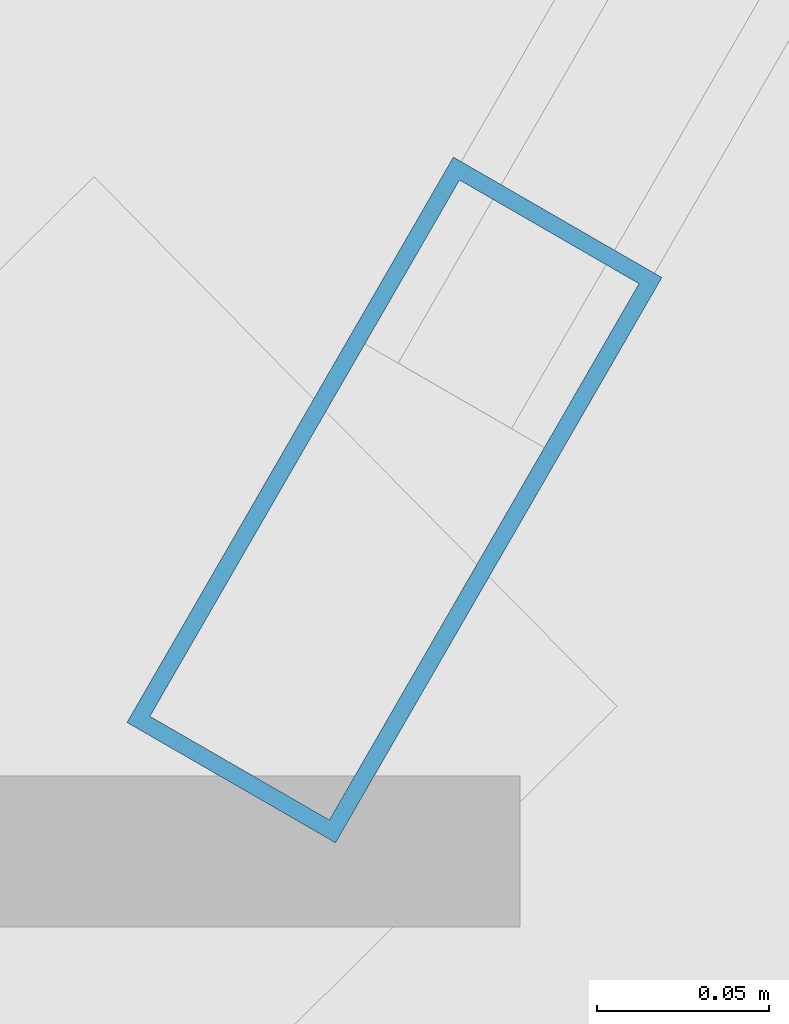
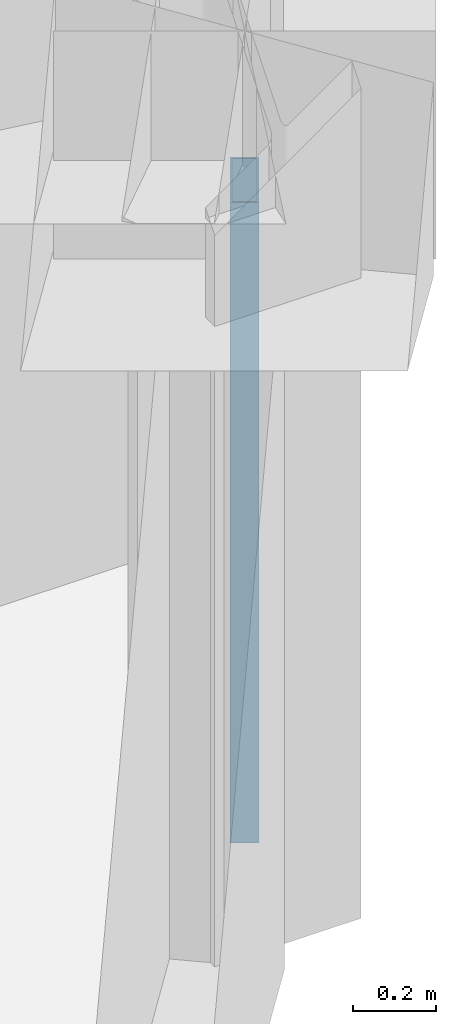
# One storey, part 6 of 19: 1 member, 1 element without a shape of its own.
"""IFC4 building model written with IfcOpenShell, lengths in metres."""

import ifcopenshell
import ifcopenshell.guid

model = None  # the IFC model being written
_history = None  # IfcOwnerHistory: only IFC2X3 demands one
_inside = {}  # id of a spatial element -> (the spatial element, [elements in it])
_under = {}  # id of a project, library or spatial element -> (it, [spatial elements below it])
_declared = {}  # id of a project -> (the project, [libraries it declares])
_typed = {}  # id of a type object -> (the type object, [elements of that type])
_made_of = {}  # id of a material, layer set ... -> (it, [elements and type objects made of it])


def new_model(schema):
    """Start an empty IFC model of exactly this schema.

    Asked for "IFC4X3", IfcOpenShell would pick the latest addendum, in which some entities
    have other attributes; the version numbers below select the first issue.
    IFC2X3 requires an IfcOwnerHistory on every rooted entity: one is made here for all.
    """
    global model, _history
    if schema == "IFC4X3":
        model = ifcopenshell.file(schema_version=(4, 3, 0, 0))
    else:
        model = ifcopenshell.file(schema=schema)
    _inside.clear()
    _under.clear()
    _declared.clear()
    _typed.clear()
    _made_of.clear()
    _history = None
    if model.schema == "IFC2X3":
        org = make("IfcOrganization", Name="unknown")
        user = make(
            "IfcPersonAndOrganization",
            ThePerson=make("IfcPerson", FamilyName="unknown"),
            TheOrganization=org,
        )
        app = make(
            "IfcApplication",
            ApplicationDeveloper=org,
            Version="unknown",
            ApplicationFullName="unknown",
            ApplicationIdentifier="unknown",
        )
        _history = make(
            "IfcOwnerHistory",
            OwningUser=user,
            OwningApplication=app,
            ChangeAction="ADDED",
            CreationDate=0,
        )
    return model


def make(cls, **values):
    """One entity of the class cls with the attributes given. An attribute that is None is left unset."""
    return model.create_entity(
        cls, **{name: value for name, value in values.items() if value is not None}
    )


def rooted(cls, **values):
    """An entity with a GlobalId (a new one), such as an element, a storey or a relation."""
    return make(cls, GlobalId=ifcopenshell.guid.new(), OwnerHistory=_history, **values)


def si_unit(unit_type, name, prefix=None):
    """IfcSIUnit, for example si_unit("LENGTHUNIT", "METRE", prefix="MILLI")."""
    return make("IfcSIUnit", UnitType=unit_type, Prefix=prefix, Name=name)


def derived_unit(unit_type, elements):
    """IfcDerivedUnit: a product of units, each with its exponent."""
    return make(
        "IfcDerivedUnit",
        Elements=[
            make("IfcDerivedUnitElement", Unit=unit, Exponent=power)
            for unit, power in elements
        ],
        UnitType=unit_type,
    )


def assignment(units):
    """IfcUnitAssignment: the units of a project."""
    return None if units is None else make("IfcUnitAssignment", Units=units)


def point(xyz):
    """IfcCartesianPoint."""
    return None if xyz is None else make("IfcCartesianPoint", Coordinates=xyz)


def direction(xyz):
    """IfcDirection."""
    return None if xyz is None else make("IfcDirection", DirectionRatios=xyz)


def frame(location, z_axis=None, x_axis=None):
    """IfcAxis2Placement3D, a coordinate frame: its origin and axes. An axis left out is left unset."""
    return make(
        "IfcAxis2Placement3D",
        Location=point(location),
        Axis=direction(z_axis),
        RefDirection=direction(x_axis),
    )


def frame_2d(location, x_axis=None):
    """IfcAxis2Placement2D, a coordinate frame in the plane: its origin and x axis."""
    return make(
        "IfcAxis2Placement2D", Location=point(location), RefDirection=direction(x_axis)
    )


def origin():
    """The frame at (0, 0, 0) with its axes left unset."""
    return frame((0.0, 0.0, 0.0))


def origin_2d():
    """The frame at (0, 0) in the plane with its x axis left unset."""
    return frame_2d((0.0, 0.0))


def place(relative_to, where):
    """IfcLocalPlacement: puts the frame where relative to a parent placement (None: the world)."""
    return make(
        "IfcLocalPlacement", PlacementRelTo=relative_to, RelativePlacement=where
    )


def context(
    kind, dimensions, precision=None, world=None, true_north=None, identifier=None
):
    """IfcGeometricRepresentationContext, for example the 3D "Model" context."""
    return make(
        "IfcGeometricRepresentationContext",
        ContextIdentifier=identifier,
        ContextType=kind,
        CoordinateSpaceDimension=dimensions,
        Precision=precision,
        WorldCoordinateSystem=world,
        TrueNorth=true_north,
    )


def subcontext(parent, identifier, kind, view, scale=None):
    """IfcGeometricRepresentationSubContext, for example "Body" below "Model"."""
    return make(
        "IfcGeometricRepresentationSubContext",
        ContextIdentifier=identifier,
        ContextType=kind,
        ParentContext=parent,
        TargetScale=scale,
        TargetView=view,
    )


def project(units=None, contexts=None):
    """IfcProject with its units and contexts."""
    return rooted(
        "IfcProject",
        Name="project",
        RepresentationContexts=contexts,
        UnitsInContext=assignment(units),
    )


def spatial(cls, under=None, at=None, **own):
    """A site, building, storey or space (cls), placed at a placement, below another one or the project."""
    s = rooted(cls, ObjectPlacement=at, **own)
    if under is not None:
        _under.setdefault(under.id(), (under, []))[1].append(s)
    return s


def profile(cls, at=None, kind="AREA", **sizes):
    """A parametric profile (cls). Its sizes go by their IFC names, for example OverallWidth=200.0."""
    return make(cls, ProfileType=kind, Position=at, **sizes)


def hollow_rectangle(**sizes):
    """IfcRectangleHollowProfileDef."""
    return profile("IfcRectangleHollowProfileDef", **sizes)


def extrude(swept, where, along, depth):
    """IfcExtrudedAreaSolid: the profile swept, set in the frame where, extruded along a direction by depth."""
    return make(
        "IfcExtrudedAreaSolid",
        SweptArea=swept,
        Position=where,
        ExtrudedDirection=direction(along),
        Depth=depth,
    )


def shape(context_of_items, identifier, shape_type, items):
    """IfcShapeRepresentation: the items that make up one representation, for example the "Body"."""
    return make(
        "IfcShapeRepresentation",
        ContextOfItems=context_of_items,
        RepresentationIdentifier=identifier,
        RepresentationType=shape_type,
        Items=items,
    )


def source(mapping_origin, context_of_items, identifier, shape_type, items):
    """IfcRepresentationMap: a shape defined once, which mapped items show again and again."""
    return make(
        "IfcRepresentationMap",
        MappingOrigin=mapping_origin,
        MappedRepresentation=shape(context_of_items, identifier, shape_type, items),
    )


def transform(
    local_origin,
    x_axis=None,
    y_axis=None,
    z_axis=None,
    scale=None,
    scale2=None,
    scale3=None,
    uniform=True,
):
    """IfcCartesianTransformationOperator3D, or its non-uniform kind. x_axis, y_axis, z_axis: its Axis1, 2, 3."""
    if uniform:
        return make(
            "IfcCartesianTransformationOperator3D",
            Axis1=direction(x_axis),
            Axis2=direction(y_axis),
            LocalOrigin=point(local_origin),
            Scale=scale,
            Axis3=direction(z_axis),
        )
    return make(
        "IfcCartesianTransformationOperator3DnonUniform",
        Axis1=direction(x_axis),
        Axis2=direction(y_axis),
        LocalOrigin=point(local_origin),
        Scale=scale,
        Axis3=direction(z_axis),
        Scale2=scale2,
        Scale3=scale3,
    )


def mapped(mapping_source, mapping_target):
    """IfcMappedItem: shows the shape of a source again, moved by a transform."""
    return make(
        "IfcMappedItem", MappingSource=mapping_source, MappingTarget=mapping_target
    )


def material(Name=None, Category=None):
    """IfcMaterial."""
    return make("IfcMaterial", Name=Name, Category=Category)


def layer(
    of_material, thickness, ventilated=None, Name=None, Category=None, Priority=None
):
    """IfcMaterialLayer: one layer of a wall or slab, of a material (None: an air gap)."""
    return make(
        "IfcMaterialLayer",
        Material=of_material,
        LayerThickness=thickness,
        IsVentilated=ventilated,
        Name=Name,
        Category=Category,
        Priority=Priority,
    )


def layer_set(layers, Name=None):
    """IfcMaterialLayerSet."""
    return make("IfcMaterialLayerSet", MaterialLayers=layers, LayerSetName=Name)


def material_profile(
    of_material, cross_section, Name=None, Category=None, Priority=None
):
    """IfcMaterialProfile: a cross section and its material."""
    return make(
        "IfcMaterialProfile",
        Name=Name,
        Material=of_material,
        Profile=cross_section,
        Priority=Priority,
        Category=Category,
    )


def profile_set(profiles, Name=None, composite=None):
    """IfcMaterialProfileSet."""
    return make(
        "IfcMaterialProfileSet",
        Name=Name,
        MaterialProfiles=profiles,
        CompositeProfile=composite,
    )


def made_of(thing, what):
    """Note that an element or type object is made of a material, layer set ...; save() writes the relation."""
    if what is not None:
        _made_of.setdefault(what.id(), (what, []))[1].append(thing)
    return thing


def type_object(cls, material=None, **own):
    """A type object (cls), such as IfcWallType, which elements share."""
    return made_of(rooted(cls, **own), material)


def element(
    cls,
    number,
    at=None,
    inside=None,
    cuts=None,
    type_object=None,
    material=None,
    context=None,
    identifier="Body",
    shape_type=None,
    held_by="IfcProductDefinitionShape",
    body=None,
    shapes=None,
    **own,
):
    """One element of the class cls, such as IfcWall. Its Tag is "e" and its number.

    at: its placement. inside: the storey or other place that contains it. cuts: it is an
    opening in that element (IfcRelVoidsElement). A single representation is given by context,
    identifier, shape_type and body (its items); several are given by shapes. held_by: the class
    of the entity that holds the representations. save() writes the other relations.
    """
    e = rooted(cls, Tag="e%d" % number, ObjectPlacement=at, **own)
    if body is not None:
        shapes = [shape(context, identifier, shape_type, body)]
    if shapes is not None:
        e.Representation = make(held_by, Representations=shapes)
    if inside is not None:
        _inside.setdefault(inside.id(), (inside, []))[1].append(e)
    if cuts is not None:
        rooted(
            "IfcRelVoidsElement", RelatingBuildingElement=cuts, RelatedOpeningElement=e
        )
    if type_object is not None:
        _typed.setdefault(type_object.id(), (type_object, []))[1].append(e)
    return made_of(e, material)


def aggregate(whole, parts):
    """IfcRelAggregates: a whole, such as a stair, and the parts it consists of."""
    return rooted("IfcRelAggregates", RelatingObject=whole, RelatedObjects=parts)


def save(model, path):
    """Write the relations noted so far, then the file.

    IfcRelAggregates (storeys below a building ...), IfcRelContainedInSpatialStructure (elements
    in a storey), IfcRelDefinesByType, IfcRelAssociatesMaterial and IfcRelDeclares: one each for
    every whole, place, type object, material and project.
    """
    for whole, parts in _under.values():
        aggregate(whole, parts)
    for where, things in _inside.values():
        rooted(
            "IfcRelContainedInSpatialStructure",
            RelatedElements=things,
            RelatingStructure=where,
        )
    for kind, things in _typed.values():
        rooted("IfcRelDefinesByType", RelatedObjects=things, RelatingType=kind)
    for what, things in _made_of.values():
        rooted("IfcRelAssociatesMaterial", RelatedObjects=things, RelatingMaterial=what)
    for by, libraries in _declared.values():
        rooted("IfcRelDeclares", RelatingContext=by, RelatedDefinitions=libraries)
    model.write(path)


model = new_model("IFC4")

# Units and contexts
model_context = context("Model", 3, precision=1e-05, world=origin(), true_north=direction((0.0, 1.0)))
body_context = subcontext(model_context, "Body", "Model", "MODEL_VIEW")
ifc_project = project(units=[si_unit("LENGTHUNIT", "METRE"), si_unit("AREAUNIT", "SQUARE_METRE"), si_unit("VOLUMEUNIT", "CUBIC_METRE"), si_unit("PLANEANGLEUNIT", "RADIAN"), si_unit("MASSUNIT", "GRAM", prefix="KILO"), derived_unit("THERMALTRANSMITTANCEUNIT", [(si_unit("POWERUNIT", "WATT"), 1), (si_unit("LENGTHUNIT", "METRE"), -2), (si_unit("THERMODYNAMICTEMPERATUREUNIT", "KELVIN"), -1)])], contexts=[model_context])

# Site, building, storey
site_placement = place(None, origin())
site = spatial("IfcSite", under=ifc_project, at=site_placement, CompositionType="ELEMENT")
building_placement = place(site_placement, origin())
building = spatial("IfcBuilding", under=site, at=building_placement, Name="Korsvarv Bourse and Concert Hall", CompositionType="ELEMENT")
storey_placement = place(building_placement, frame((0.0, 0.0, 223.800048828125)))
storey = spatial("IfcBuildingStorey", under=building, at=storey_placement, Name="L58", CompositionType="ELEMENT", Elevation=223.800048828125)

# Curtain wall, member
ifc_material_1 = material(Name="Anodised aluminium and triple low-E glazing", Category="glass")
ifc_layer = layer(ifc_material_1, 0.199951171875)
ifc_layer_set = layer_set([ifc_layer], Name="Anodised aluminium and triple low-E glazing")
curtain_wall_type = type_object("IfcCurtainWallType", Name="CW-SYS-3", PredefinedType="NOTDEFINED", material=ifc_layer_set)
curtain_wall_placement = place(storey_placement, origin())
curtain_wall = element("IfcCurtainWall", 1, at=curtain_wall_placement, inside=storey, type_object=curtain_wall_type, Name="L58 CW3 curtain wall CW-L58-F11", PredefinedType="NOTDEFINED")
ifc_material_2 = material(Name="Extruded aluminium EN AW-6063 T66", Category="aluminium")
ifc_material_profile = material_profile(ifc_material_2, hollow_rectangle(XDim=0.070068359375, YDim=0.18994140625, WallThickness=0.0048828125, at=origin_2d()), Name="ALU-M 70x190")
ifc_profile_set = profile_set([ifc_material_profile], Name="Extruded aluminium EN AW-6063 T66")
member_type = type_object("IfcMemberType", Name="CWM-190", PredefinedType="MULLION", material=ifc_profile_set)
shared_shape = source(origin(), body_context, "Body", "SweptSolid", [
    extrude(hollow_rectangle(XDim=0.070068359375, YDim=0.18994140625, WallThickness=0.0048828125, at=origin_2d()), origin(), (0.0, 0.0, 1.0), 1.8798828125),
])
member_placement = place(storey_placement, frame((50.68701171875, 23.26416015625, 0.0), z_axis=(0.0, 0.0, 1.0), x_axis=(-0.866029815681, 0.499992358293, 0.0)))
member = element("IfcMember", 2, at=member_placement, type_object=member_type, Name="CW3 mullion 1", PredefinedType="MULLION", context=body_context, shape_type="MappedRepresentation", body=[
    mapped(shared_shape, transform((0.0, 0.0, 0.0), scale=1.0)),
])
aggregate(curtain_wall, [member])

save(model, "model.ifc")
